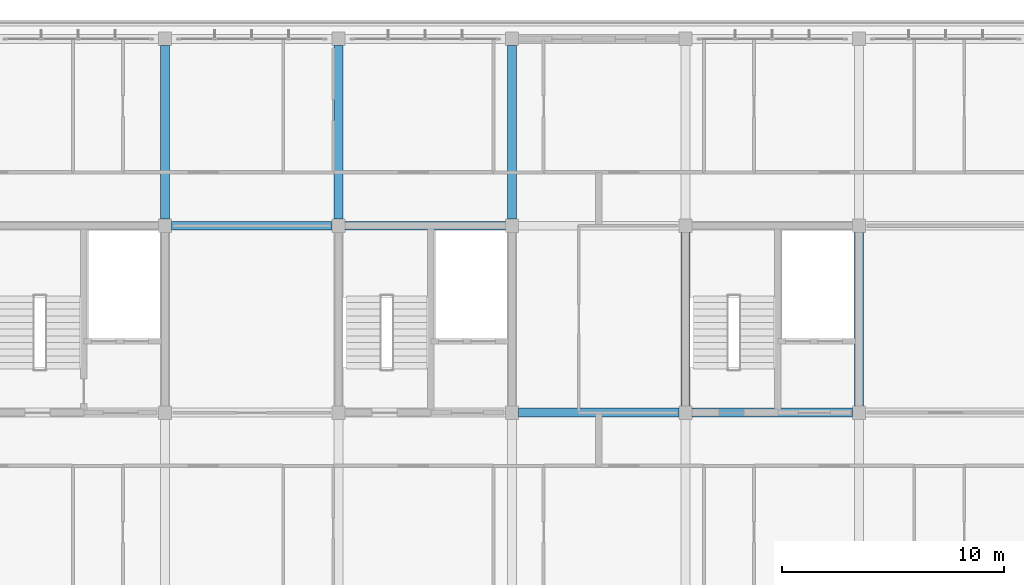
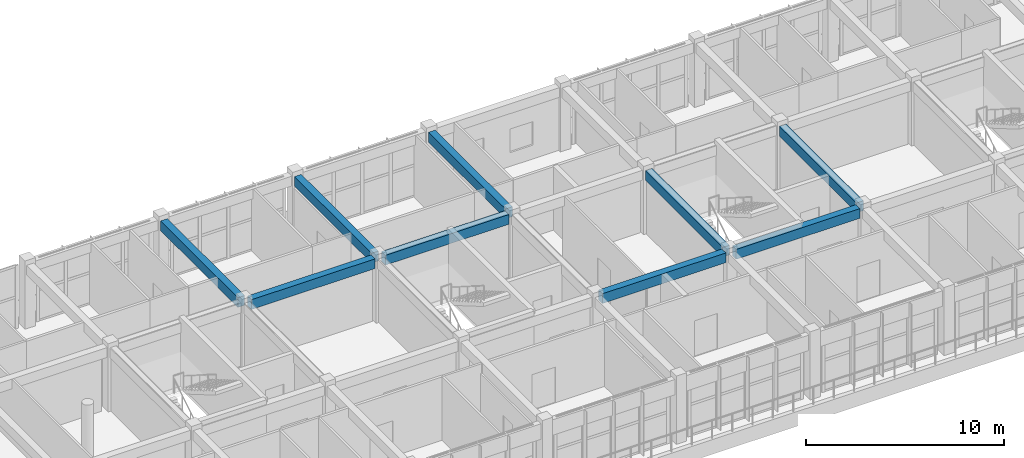
# One storey, part 16 of 50: 9 beams.
"""IFC4 building model written with IfcOpenShell, lengths in metres."""

from ifc_helpers import new_model, si_unit, direction, frame, origin, origin_2d, place, context, subcontext, project, spatial, rectangle, extrude, material, material_profile, profile_set, type_object, element, save


model = new_model("IFC4")

# Units and contexts
model_context = context("Model", 3, precision=1e-05, world=origin(), true_north=direction((0.0, 1.0)))
body_context = subcontext(model_context, "Body", "Model", "MODEL_VIEW")
ifc_project = project(units=[si_unit("LENGTHUNIT", "METRE"), si_unit("AREAUNIT", "SQUARE_METRE"), si_unit("VOLUMEUNIT", "CUBIC_METRE"), si_unit("PLANEANGLEUNIT", "RADIAN"), si_unit("MASSUNIT", "GRAM", prefix="KILO")], contexts=[model_context])

# Site, building, storey
site_placement = place(None, origin())
site = spatial("IfcSite", under=ifc_project, at=site_placement, CompositionType="ELEMENT")
building_placement = place(site_placement, origin())
building = spatial("IfcBuilding", under=site, at=building_placement, Name="Zizhar Promenade General Hospital", CompositionType="ELEMENT")
storey_placement = place(building_placement, frame((0.0, 0.0, 30.60009765625)))
storey = spatial("IfcBuildingStorey", under=building, at=storey_placement, Name="L07", CompositionType="ELEMENT", Elevation=30.60009765625)

# Beams
ifc_material = material(Name="Concrete C35/45", Category="concrete")
ifc_material_profile = material_profile(ifc_material, rectangle(XDim=0.39990234375, YDim=0.60009765625, at=origin_2d()))
ifc_profile_set = profile_set([ifc_material_profile], Name="Concrete C35/45")
beam_type = type_object("IfcBeamType", Name="BM-RC-400x600", PredefinedType="JOIST", material=ifc_profile_set)
beam_1_placement = place(storey_placement, frame((54.89990234375, 16.800048828125, 3.60986328125), z_axis=(1.0, 0.0, 0.0), x_axis=(0.0, 1.0, 0.0)))
element("IfcBeam", 1, at=beam_1_placement, inside=storey, type_object=beam_type, Name="Grid Beam X L07 (7-2)", PredefinedType="JOIST", context=body_context, shape_type="SweptSolid", body=[
    extrude(rectangle(XDim=0.39990234375, YDim=0.60009765625, at=origin_2d()), origin(), (0.0, 0.0, 1.0), 7.2001953125),
])
beam_2_placement = place(storey_placement, frame((54.60009765625, 17.10009765625, 3.60986328125), z_axis=(0.0, 1.0, 0.0), x_axis=(-1.0, 0.0, 0.0)))
element("IfcBeam", 2, at=beam_2_placement, inside=storey, type_object=beam_type, Name="Grid Beam Y L07 (7-2)", PredefinedType="JOIST", context=body_context, shape_type="SweptSolid", body=[
    extrude(rectangle(XDim=0.39990234375, YDim=0.60009765625, at=origin_2d()), origin(), (0.0, 0.0, 1.0), 7.7998046875),
])
beam_3_placement = place(storey_placement, frame((62.699951171875, 16.800048828125, 3.60986328125), z_axis=(1.0, 0.0, 0.0), x_axis=(0.0, 1.0, 0.0)))
element("IfcBeam", 3, at=beam_3_placement, inside=storey, type_object=beam_type, Name="Grid Beam X L07 (8-2)", PredefinedType="JOIST", context=body_context, shape_type="SweptSolid", body=[
    extrude(rectangle(XDim=0.39990234375, YDim=0.60009765625, at=origin_2d()), origin(), (0.0, 0.0, 1.0), 7.199951171875),
])
beam_4_placement = place(storey_placement, frame((62.39990234375, 17.10009765625, 3.60986328125), z_axis=(0.0, 1.0, 0.0), x_axis=(-1.0, 0.0, 0.0)))
element("IfcBeam", 4, at=beam_4_placement, inside=storey, type_object=beam_type, Name="Grid Beam Y L07 (8-2)", PredefinedType="JOIST", context=body_context, shape_type="SweptSolid", body=[
    extrude(rectangle(XDim=0.39990234375, YDim=0.60009765625, at=origin_2d()), origin(), (0.0, 0.0, 1.0), 7.7998046875),
])
beam_5_placement = place(storey_placement, frame((70.5, 8.39990234375, 3.60986328125), z_axis=(1.0, 0.0, 0.0), x_axis=(0.0, 1.0, 0.0)))
element("IfcBeam", 5, at=beam_5_placement, inside=storey, type_object=beam_type, Name="Grid Beam X L07 (9-1)", PredefinedType="JOIST", context=body_context, shape_type="SweptSolid", body=[
    extrude(rectangle(XDim=0.39990234375, YDim=0.60009765625, at=origin_2d()), origin(), (0.0, 0.0, 1.0), 7.199951171875),
])
beam_6_placement = place(storey_placement, frame((70.199951171875, 17.10009765625, 3.60986328125), z_axis=(0.0, 1.0, 0.0), x_axis=(-1.0, 0.0, 0.0)))
element("IfcBeam", 6, at=beam_6_placement, inside=storey, type_object=beam_type, Name="Grid Beam Y L07 (9-2)", PredefinedType="JOIST", context=body_context, shape_type="SweptSolid", body=[
    extrude(rectangle(XDim=0.39990234375, YDim=0.60009765625, at=origin_2d()), origin(), (0.0, 0.0, 1.0), 7.7998046875),
])
beam_7_placement = place(storey_placement, frame((78.300048828125, 8.39990234375, 3.60986328125), z_axis=(1.0, 0.0, 0.0), x_axis=(0.0, 1.0, 0.0)))
element("IfcBeam", 7, at=beam_7_placement, inside=storey, type_object=beam_type, Name="Grid Beam X L07 (10-1)", PredefinedType="JOIST", context=body_context, shape_type="SweptSolid", body=[
    extrude(rectangle(XDim=0.39990234375, YDim=0.60009765625, at=origin_2d()), origin(), (0.0, 0.0, 1.0), 7.199951171875),
])
for number, where, z_axis, x_axis, name in (
    (8, (78.0, 8.699951171875, 3.60986328125), (0.0, 1.0, 0.0), (-1.0, 0.0, 0.0), "Grid Beam Y L07 (10-1)"),
    (9, (85.800048828125, 8.699951171875, 3.60986328125), (0.0, 1.0, 0.0), (-1.0, 0.0, 0.0), "Grid Beam Y L07 (11-1)"),
):
    element("IfcBeam", number, at=place(storey_placement, frame(where, z_axis=z_axis, x_axis=x_axis)), inside=storey, type_object=beam_type, Name=name, PredefinedType="JOIST", context=body_context, shape_type="SweptSolid", body=[
        extrude(rectangle(XDim=0.39990234375, YDim=0.60009765625, at=origin_2d()), origin(), (0.0, 0.0, 1.0), 7.800048828125),
    ])

save(model, "model.ifc")
